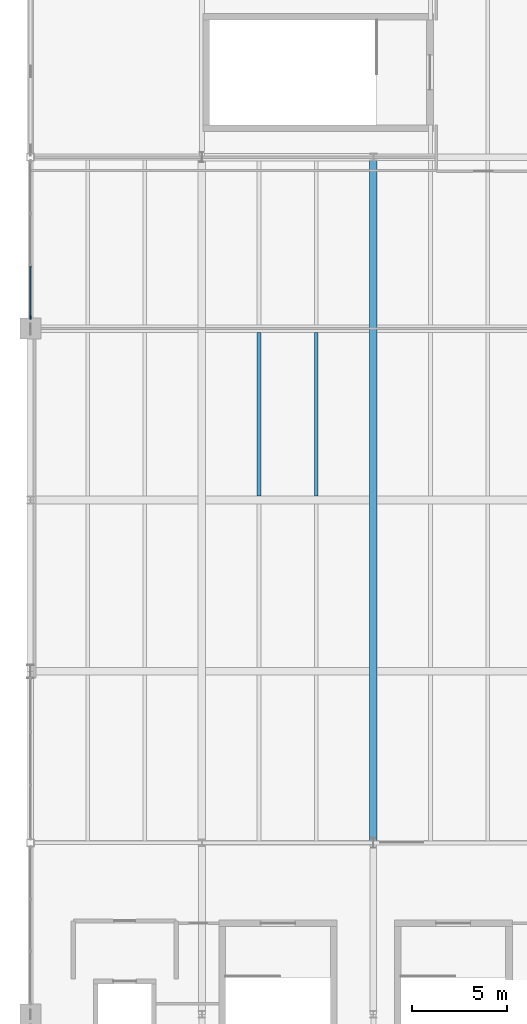
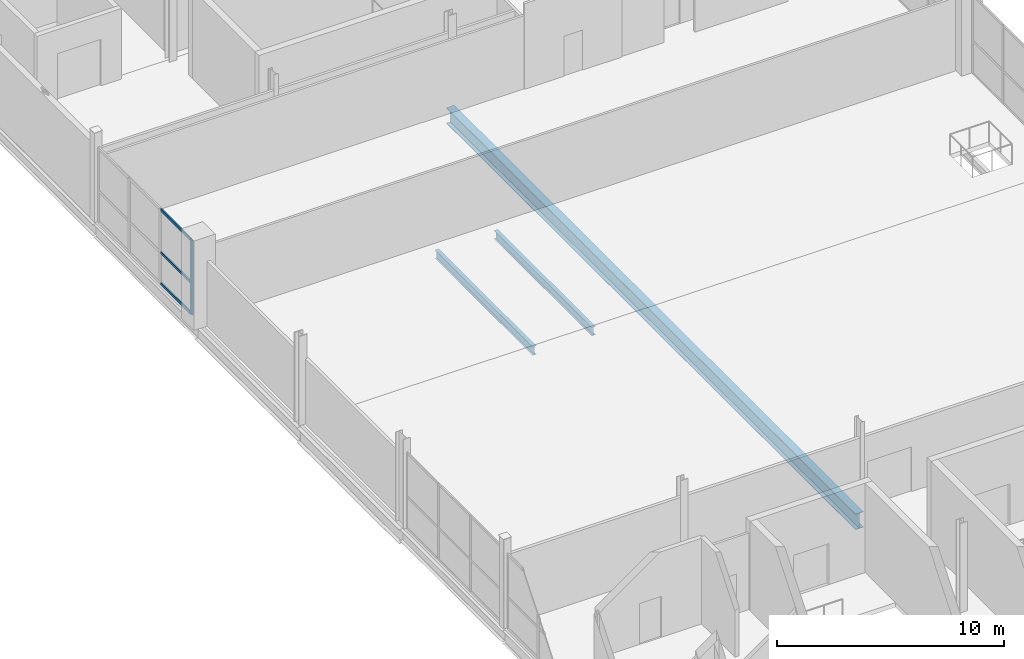
# One storey, part 12 of 29: 4 members, 3 beams, 1 element without a shape of its own.
"""IFC4 building model written with IfcOpenShell, lengths in metres."""

from ifc_helpers import new_model, si_unit, direction, frame, origin, origin_2d, place, context, subcontext, project, spatial, rectangle, i_section, extrude, material, layer, layer_set, material_profile, profile_set, type_object, element, aggregate, save


model = new_model("IFC4")

# Units and contexts
model_context = context("Model", 3, precision=1e-05, world=origin(), true_north=direction((0.0, 1.0)))
body_context = subcontext(model_context, "Body", "Model", "MODEL_VIEW")
ifc_project = project(units=[si_unit("LENGTHUNIT", "METRE"), si_unit("AREAUNIT", "SQUARE_METRE"), si_unit("VOLUMEUNIT", "CUBIC_METRE"), si_unit("PLANEANGLEUNIT", "RADIAN"), si_unit("MASSUNIT", "GRAM", prefix="KILO")], contexts=[model_context])

# Site, building, storey
site_placement = place(None, origin())
site = spatial("IfcSite", under=ifc_project, at=site_placement, CompositionType="ELEMENT")
building_placement = place(site_placement, origin())
building = spatial("IfcBuilding", under=site, at=building_placement, Name="Qamarlyn Nura Convention Centre", CompositionType="ELEMENT")
storey_placement = place(building_placement, frame((0.0, 0.0, 25.199951171875)))
storey = spatial("IfcBuildingStorey", under=building, at=storey_placement, Name="L05", CompositionType="ELEMENT", Elevation=25.199951171875)

# Beams
ifc_material_1 = material(Name="Steel ASTM A992", Category="steel")
ifc_material_profile_1 = material_profile(ifc_material_1, i_section(OverallWidth=0.39990234375, OverallDepth=0.85498046875, WebThickness=0.018310546875, FlangeThickness=0.029296875, FilletRadius=0.02197265625, at=origin_2d()), Name="W840X299")
ifc_profile_set_1 = profile_set([ifc_material_profile_1], Name="Steel ASTM A992")
beam_type_1 = type_object("IfcBeamType", Name="BM-GIRD-840", PredefinedType="BEAM", material=ifc_profile_set_1)
beam_placement = place(storey_placement, frame((171.0, 18.0, -0.66748046875), z_axis=(0.0, 1.0, 0.0), x_axis=(-1.0, 0.0, 0.0)))
element("IfcBeam", 1, at=beam_placement, inside=storey, type_object=beam_type_1, Name="L05 girder 15 C-G", PredefinedType="BEAM", context=body_context, shape_type="SweptSolid", body=[
    extrude(i_section(OverallWidth=0.39990234375, OverallDepth=0.85498046875, WebThickness=0.018310546875, FlangeThickness=0.029296875, FilletRadius=0.02197265625, at=origin_2d()), origin(), (0.0, 0.0, 1.0), 36.0),
])
ifc_material_profile_2 = material_profile(ifc_material_1, i_section(OverallWidth=0.18994140625, OverallDepth=0.45703125, WebThickness=0.009033203125, FlangeThickness=0.014404296875, FilletRadius=0.012939453125, at=origin_2d()), Name="W460X74")
ifc_profile_set_2 = profile_set([ifc_material_profile_2], Name="Steel ASTM A992")
beam_type_2 = type_object("IfcBeamType", Name="BM-JOIST-460", PredefinedType="JOIST", material=ifc_profile_set_2)
for number, where, z_axis, x_axis, name in (
    (2, (165.0, 36.199951171875, -0.468505859375), (0.0, 1.0, 0.0), (-1.0, 0.0, 0.0), "L05 secondary joist 14-15/E-F-13"),
    (3, (168.0, 36.199951171875, -0.468505859375), (0.0, 1.0, 0.0), (-1.0, 0.0, 0.0), "L05 secondary joist 14-15/E-F-14"),
):
    element("IfcBeam", number, at=place(storey_placement, frame(where, z_axis=z_axis, x_axis=x_axis)), inside=storey, type_object=beam_type_2, Name=name, PredefinedType="JOIST", context=body_context, shape_type="SweptSolid", body=[
        extrude(i_section(OverallWidth=0.18994140625, OverallDepth=0.45703125, WebThickness=0.009033203125, FlangeThickness=0.014404296875, FilletRadius=0.012939453125, at=origin_2d()), origin(), (0.0, 0.0, 1.0), 8.60009765625),
    ])

# Curtain wall, members
ifc_material_2 = material(Name="Double-silver low-E insulated glass", Category="glass")
ifc_layer = layer(ifc_material_2, 0.179931640625, Name="CW-UNIT-160")
ifc_layer_set = layer_set([ifc_layer], Name="Double-silver low-E insulated glass")
curtain_wall_type = type_object("IfcCurtainWallType", Name="CW-UNIT-160", PredefinedType="NOTDEFINED", material=ifc_layer_set)
curtain_wall_placement = place(storey_placement, origin())
curtain_wall = element("IfcCurtainWall", 4, at=curtain_wall_placement, inside=storey, type_object=curtain_wall_type, Name="L05 unitised curtain wall CRT-45-1", PredefinedType="NOTDEFINED")
ifc_material_3 = material(Name="Champagne-anodised marine aluminium", Category="aluminium")
ifc_material_profile_3 = material_profile(ifc_material_3, rectangle(XDim=0.070068359375, YDim=0.179931640625, at=origin_2d()), Name="ALU MULLION 70x180")
ifc_profile_set_3 = profile_set([ifc_material_profile_3], Name="Champagne-anodised marine aluminium")
member_type_1 = type_object("IfcMemberType", Name="CWM-180", PredefinedType="MULLION", material=ifc_profile_set_3)
member_1_placement = place(storey_placement, frame((153.0, 45.5849609375, 0.0), z_axis=(0.0, 0.0, 1.0), x_axis=(-1.0, 0.0, 0.0)))
member_1 = element("IfcMember", 5, at=member_1_placement, type_object=member_type_1, Name="CW160 mullion 1", PredefinedType="MULLION", context=body_context, shape_type="SweptSolid", body=[
    extrude(rectangle(XDim=0.070068359375, YDim=0.179931640625, at=origin_2d()), origin(), (0.0, 0.0, 1.0), 4.011962890625),
])
ifc_material_profile_4 = material_profile(ifc_material_3, rectangle(XDim=0.070068359375, YDim=0.139892578125, at=origin_2d()), Name="ALU TRANSOM 70x140")
ifc_profile_set_4 = profile_set([ifc_material_profile_4], Name="Champagne-anodised marine aluminium")
member_type_2 = type_object("IfcMemberType", Name="CWT-140", PredefinedType="USERDEFINED", material=ifc_profile_set_4)
member_2_placement = place(storey_placement, frame((153.0, 45.6201171875, 0.03515625), z_axis=(0.0, 1.0, 0.0), x_axis=(-1.0, 0.0, 0.0)))
member_2 = element("IfcMember", 6, at=member_2_placement, type_object=member_type_2, Name="CW160 transom 1.1", ObjectType="TRANSOM", PredefinedType="USERDEFINED", context=body_context, shape_type="SweptSolid", body=[
    extrude(rectangle(XDim=0.070068359375, YDim=0.139892578125, at=origin_2d()), origin(), (0.0, 0.0, 1.0), 2.644775390625),
])
member_3_placement = place(storey_placement, frame((153.0, 45.6201171875, 1.68505859375), z_axis=(0.0, 1.0, 0.0), x_axis=(-1.0, 0.0, 0.0)))
member_3 = element("IfcMember", 7, at=member_3_placement, type_object=member_type_2, Name="CW160 transom 1.2", ObjectType="TRANSOM", PredefinedType="USERDEFINED", context=body_context, shape_type="SweptSolid", body=[
    extrude(rectangle(XDim=0.070068359375, YDim=0.139892578125, at=origin_2d()), origin(), (0.0, 0.0, 1.0), 2.644775390625),
])
member_4_placement = place(storey_placement, frame((153.0, 45.6201171875, 3.97705078125), z_axis=(0.0, 1.0, 0.0), x_axis=(-1.0, 0.0, 0.0)))
member_4 = element("IfcMember", 8, at=member_4_placement, type_object=member_type_2, Name="CW160 transom 1.3", ObjectType="TRANSOM", PredefinedType="USERDEFINED", context=body_context, shape_type="SweptSolid", body=[
    extrude(rectangle(XDim=0.070068359375, YDim=0.139892578125, at=origin_2d()), origin(), (0.0, 0.0, 1.0), 2.644775390625),
])
aggregate(curtain_wall, [member_1, member_2, member_3, member_4])

save(model, "model.ifc")
